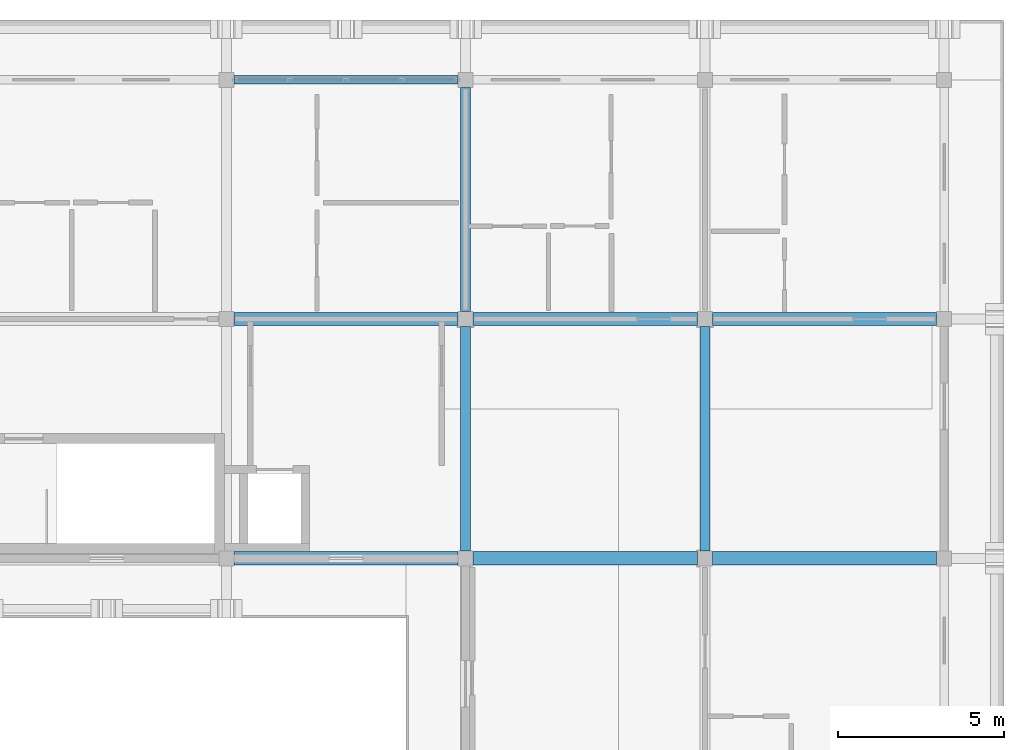
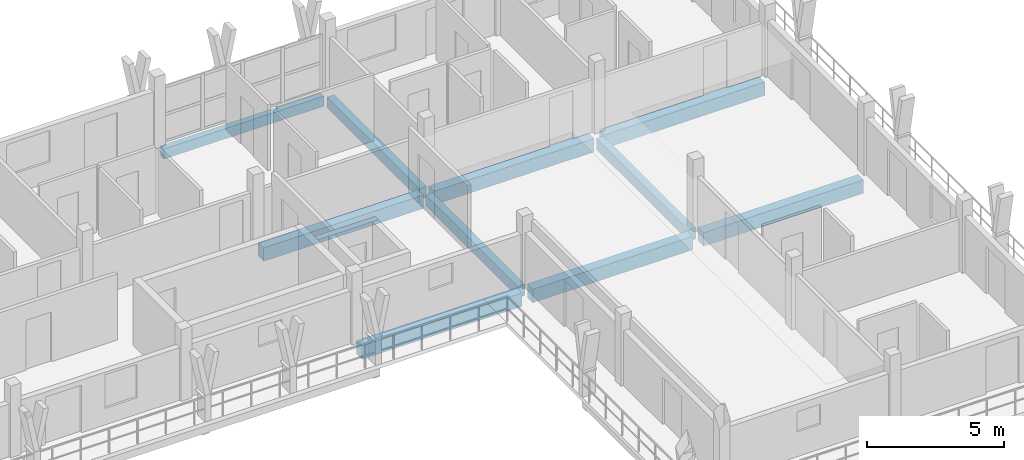
# One storey, part 12 of 32: 10 beams.
"""IFC4 building model written with IfcOpenShell, lengths in metres."""

from ifc_helpers import new_model, si_unit, direction, frame, origin, origin_2d, place, context, subcontext, project, spatial, rectangle, extrude, material, material_profile, profile_set, type_object, element, save


model = new_model("IFC4")

# Units and contexts
model_context = context("Model", 3, precision=1e-05, world=origin(), true_north=direction((0.0, 1.0)))
body_context = subcontext(model_context, "Body", "Model", "MODEL_VIEW")
ifc_project = project(units=[si_unit("LENGTHUNIT", "METRE"), si_unit("AREAUNIT", "SQUARE_METRE"), si_unit("VOLUMEUNIT", "CUBIC_METRE"), si_unit("PLANEANGLEUNIT", "RADIAN"), si_unit("MASSUNIT", "GRAM", prefix="KILO")], contexts=[model_context])

# Site, building, storey
site_placement = place(None, origin())
site = spatial("IfcSite", under=ifc_project, at=site_placement, CompositionType="ELEMENT")
building_placement = place(site_placement, origin())
building = spatial("IfcBuilding", under=site, at=building_placement, Name="Suanplinth Sawtooth Commons", CompositionType="ELEMENT")
storey_placement = place(building_placement, frame((0.0, 0.0, 41.199951171875)))
storey = spatial("IfcBuildingStorey", under=building, at=storey_placement, Name="L12", CompositionType="ELEMENT", Elevation=41.199951171875)

# Beams
ifc_material = material(Name="Precast concrete C40/50", Category="concrete")
ifc_material_profile_1 = material_profile(ifc_material, rectangle(XDim=0.39990234375, YDim=0.60009765625, at=origin_2d()), Name="PC-GDR 400x600")
ifc_profile_set_1 = profile_set([ifc_material_profile_1], Name="Precast concrete C40/50")
beam_type_1 = type_object("IfcBeamType", Name="B-05", PredefinedType="USERDEFINED", material=ifc_profile_set_1)
for number, where, z_axis, x_axis, name in (
    (1, (165.824951171875, 108.0, -0.510009765625), (1.0, 0.0, 0.0), (0.0, 1.0, 0.0), "BMX-L12-B-23-15"),
    (2, (165.824951171875, 115.199951171875, -0.510009765625), (1.0, 0.0, 0.0), (0.0, 1.0, 0.0), "BMX-L12-B-23-16"),
    (3, (173.02490234375, 108.0, -0.510009765625), (1.0, 0.0, 0.0), (0.0, 1.0, 0.0), "BMX-L12-B-24-15"),
    (4, (173.02490234375, 115.199951171875, -0.510009765625), (1.0, 0.0, 0.0), (0.0, 1.0, 0.0), "BMX-L12-B-24-16"),
    (5, (180.22509765625, 108.0, -0.510009765625), (1.0, 0.0, 0.0), (0.0, 1.0, 0.0), "BMX-L12-B-25-15"),
    (6, (180.22509765625, 115.199951171875, -0.510009765625), (1.0, 0.0, 0.0), (0.0, 1.0, 0.0), "BMX-L12-B-25-16"),
):
    element("IfcBeam", number, at=place(storey_placement, frame(where, z_axis=z_axis, x_axis=x_axis)), inside=storey, type_object=beam_type_1, Name=name, ObjectType="GIRDER", PredefinedType="USERDEFINED", context=body_context, shape_type="SweptSolid", body=[
        extrude(rectangle(XDim=0.39990234375, YDim=0.60009765625, at=origin_2d()), origin(), (0.0, 0.0, 1.0), 6.75),
    ])
ifc_material_profile_2 = material_profile(ifc_material, rectangle(XDim=0.300048828125, YDim=0.5, at=origin_2d()), Name="PC-BM 300x500")
ifc_profile_set_2 = profile_set([ifc_material_profile_2], Name="Precast concrete C40/50")
beam_type_2 = type_object("IfcBeamType", Name="B-07", PredefinedType="BEAM", material=ifc_profile_set_2)
for number, where, z_axis, x_axis, name in (
    (7, (172.800048828125, 108.22509765625, -0.4599609375), (0.0, 1.0, 0.0), (-1.0, 0.0, 0.0), "BMY-L12-B-24-15"),
    (8, (172.800048828125, 115.425048828125, -0.4599609375), (0.0, 1.0, 0.0), (-1.0, 0.0, 0.0), "BMY-L12-B-24-16"),
    (9, (180.0, 108.22509765625, -0.4599609375), (0.0, 1.0, 0.0), (-1.0, 0.0, 0.0), "BMY-L12-B-25-15"),
):
    element("IfcBeam", number, at=place(storey_placement, frame(where, z_axis=z_axis, x_axis=x_axis)), inside=storey, type_object=beam_type_2, Name=name, PredefinedType="BEAM", context=body_context, shape_type="SweptSolid", body=[
        extrude(rectangle(XDim=0.300048828125, YDim=0.5, at=origin_2d()), origin(), (0.0, 0.0, 1.0), 6.75),
    ])
ifc_material_profile_3 = material_profile(ifc_material, rectangle(XDim=0.25, YDim=0.449951171875, at=origin_2d()), Name="PC-SP 250x450")
ifc_profile_set_3 = profile_set([ifc_material_profile_3], Name="Precast concrete C40/50")
beam_type_3 = type_object("IfcBeamType", Name="B-09", PredefinedType="SPANDREL", material=ifc_profile_set_3)
beam_placement = place(storey_placement, frame((165.824951171875, 122.39990234375, -0.43505859375), z_axis=(1.0, 0.0, 0.0), x_axis=(0.0, 1.0, 0.0)))
element("IfcBeam", 10, at=beam_placement, inside=storey, type_object=beam_type_3, Name="BMX-L12-B-23-17", PredefinedType="SPANDREL", context=body_context, shape_type="SweptSolid", body=[
    extrude(rectangle(XDim=0.25, YDim=0.449951171875, at=origin_2d()), origin(), (0.0, 0.0, 1.0), 6.75),
])

save(model, "model.ifc")
